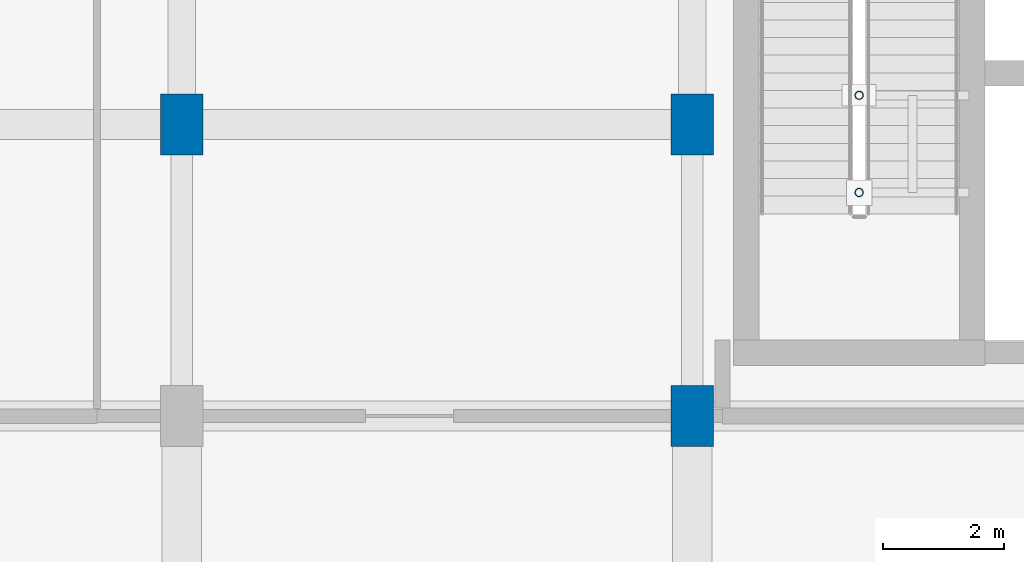
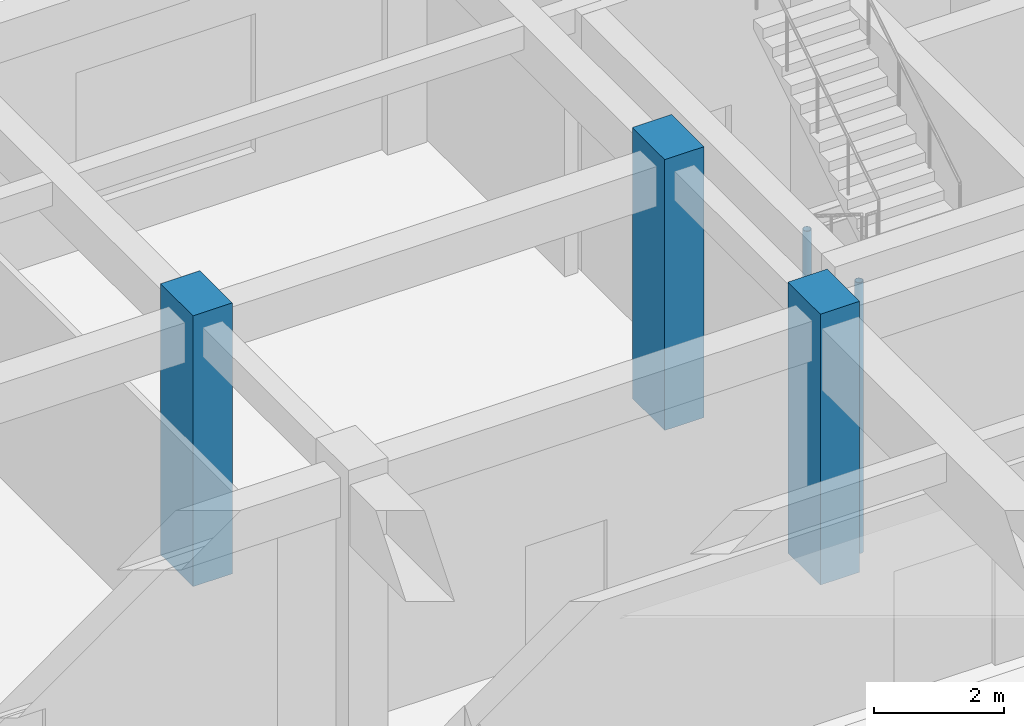
# One storey, part 3 of 106: 5 columns.
"""IFC4 building model written with IfcOpenShell, lengths in metres."""

import ifcopenshell
import ifcopenshell.guid

model = None  # the IFC model being written
_history = None  # IfcOwnerHistory: only IFC2X3 demands one
_inside = {}  # id of a spatial element -> (the spatial element, [elements in it])
_under = {}  # id of a project, library or spatial element -> (it, [spatial elements below it])
_declared = {}  # id of a project -> (the project, [libraries it declares])
_typed = {}  # id of a type object -> (the type object, [elements of that type])
_made_of = {}  # id of a material, layer set ... -> (it, [elements and type objects made of it])


def new_model(schema):
    """Start an empty IFC model of exactly this schema.

    Asked for "IFC4X3", IfcOpenShell would pick the latest addendum, in which some entities
    have other attributes; the version numbers below select the first issue.
    IFC2X3 requires an IfcOwnerHistory on every rooted entity: one is made here for all.
    """
    global model, _history
    if schema == "IFC4X3":
        model = ifcopenshell.file(schema_version=(4, 3, 0, 0))
    else:
        model = ifcopenshell.file(schema=schema)
    _inside.clear()
    _under.clear()
    _declared.clear()
    _typed.clear()
    _made_of.clear()
    _history = None
    if model.schema == "IFC2X3":
        org = make("IfcOrganization", Name="unknown")
        user = make(
            "IfcPersonAndOrganization",
            ThePerson=make("IfcPerson", FamilyName="unknown"),
            TheOrganization=org,
        )
        app = make(
            "IfcApplication",
            ApplicationDeveloper=org,
            Version="unknown",
            ApplicationFullName="unknown",
            ApplicationIdentifier="unknown",
        )
        _history = make(
            "IfcOwnerHistory",
            OwningUser=user,
            OwningApplication=app,
            ChangeAction="ADDED",
            CreationDate=0,
        )
    return model


def make(cls, **values):
    """One entity of the class cls with the attributes given. An attribute that is None is left unset."""
    return model.create_entity(
        cls, **{name: value for name, value in values.items() if value is not None}
    )


def rooted(cls, **values):
    """An entity with a GlobalId (a new one), such as an element, a storey or a relation."""
    return make(cls, GlobalId=ifcopenshell.guid.new(), OwnerHistory=_history, **values)


def si_unit(unit_type, name, prefix=None):
    """IfcSIUnit, for example si_unit("LENGTHUNIT", "METRE", prefix="MILLI")."""
    return make("IfcSIUnit", UnitType=unit_type, Prefix=prefix, Name=name)


def assignment(units):
    """IfcUnitAssignment: the units of a project."""
    return None if units is None else make("IfcUnitAssignment", Units=units)


def point(xyz):
    """IfcCartesianPoint."""
    return None if xyz is None else make("IfcCartesianPoint", Coordinates=xyz)


def direction(xyz):
    """IfcDirection."""
    return None if xyz is None else make("IfcDirection", DirectionRatios=xyz)


def frame(location, z_axis=None, x_axis=None):
    """IfcAxis2Placement3D, a coordinate frame: its origin and axes. An axis left out is left unset."""
    return make(
        "IfcAxis2Placement3D",
        Location=point(location),
        Axis=direction(z_axis),
        RefDirection=direction(x_axis),
    )


def frame_2d(location, x_axis=None):
    """IfcAxis2Placement2D, a coordinate frame in the plane: its origin and x axis."""
    return make(
        "IfcAxis2Placement2D", Location=point(location), RefDirection=direction(x_axis)
    )


def origin():
    """The frame at (0, 0, 0) with its axes left unset."""
    return frame((0.0, 0.0, 0.0))


def origin_2d():
    """The frame at (0, 0) in the plane with its x axis left unset."""
    return frame_2d((0.0, 0.0))


def place(relative_to, where):
    """IfcLocalPlacement: puts the frame where relative to a parent placement (None: the world)."""
    return make(
        "IfcLocalPlacement", PlacementRelTo=relative_to, RelativePlacement=where
    )


def context(
    kind, dimensions, precision=None, world=None, true_north=None, identifier=None
):
    """IfcGeometricRepresentationContext, for example the 3D "Model" context."""
    return make(
        "IfcGeometricRepresentationContext",
        ContextIdentifier=identifier,
        ContextType=kind,
        CoordinateSpaceDimension=dimensions,
        Precision=precision,
        WorldCoordinateSystem=world,
        TrueNorth=true_north,
    )


def subcontext(parent, identifier, kind, view, scale=None):
    """IfcGeometricRepresentationSubContext, for example "Body" below "Model"."""
    return make(
        "IfcGeometricRepresentationSubContext",
        ContextIdentifier=identifier,
        ContextType=kind,
        ParentContext=parent,
        TargetScale=scale,
        TargetView=view,
    )


def project(units=None, contexts=None):
    """IfcProject with its units and contexts."""
    return rooted(
        "IfcProject",
        Name="project",
        RepresentationContexts=contexts,
        UnitsInContext=assignment(units),
    )


def spatial(cls, under=None, at=None, **own):
    """A site, building, storey or space (cls), placed at a placement, below another one or the project."""
    s = rooted(cls, ObjectPlacement=at, **own)
    if under is not None:
        _under.setdefault(under.id(), (under, []))[1].append(s)
    return s


def profile(cls, at=None, kind="AREA", **sizes):
    """A parametric profile (cls). Its sizes go by their IFC names, for example OverallWidth=200.0."""
    return make(cls, ProfileType=kind, Position=at, **sizes)


def rectangle(**sizes):
    """IfcRectangleProfileDef."""
    return profile("IfcRectangleProfileDef", **sizes)


def hollow_circle(**sizes):
    """IfcCircleHollowProfileDef."""
    return profile("IfcCircleHollowProfileDef", **sizes)


def extrude(swept, where, along, depth):
    """IfcExtrudedAreaSolid: the profile swept, set in the frame where, extruded along a direction by depth."""
    return make(
        "IfcExtrudedAreaSolid",
        SweptArea=swept,
        Position=where,
        ExtrudedDirection=direction(along),
        Depth=depth,
    )


def shape(context_of_items, identifier, shape_type, items):
    """IfcShapeRepresentation: the items that make up one representation, for example the "Body"."""
    return make(
        "IfcShapeRepresentation",
        ContextOfItems=context_of_items,
        RepresentationIdentifier=identifier,
        RepresentationType=shape_type,
        Items=items,
    )


def material(Name=None, Category=None):
    """IfcMaterial."""
    return make("IfcMaterial", Name=Name, Category=Category)


def material_profile(
    of_material, cross_section, Name=None, Category=None, Priority=None
):
    """IfcMaterialProfile: a cross section and its material."""
    return make(
        "IfcMaterialProfile",
        Name=Name,
        Material=of_material,
        Profile=cross_section,
        Priority=Priority,
        Category=Category,
    )


def profile_set(profiles, Name=None, composite=None):
    """IfcMaterialProfileSet."""
    return make(
        "IfcMaterialProfileSet",
        Name=Name,
        MaterialProfiles=profiles,
        CompositeProfile=composite,
    )


def made_of(thing, what):
    """Note that an element or type object is made of a material, layer set ...; save() writes the relation."""
    if what is not None:
        _made_of.setdefault(what.id(), (what, []))[1].append(thing)
    return thing


def type_object(cls, material=None, **own):
    """A type object (cls), such as IfcWallType, which elements share."""
    return made_of(rooted(cls, **own), material)


def element(
    cls,
    number,
    at=None,
    inside=None,
    cuts=None,
    type_object=None,
    material=None,
    context=None,
    identifier="Body",
    shape_type=None,
    held_by="IfcProductDefinitionShape",
    body=None,
    shapes=None,
    **own,
):
    """One element of the class cls, such as IfcWall. Its Tag is "e" and its number.

    at: its placement. inside: the storey or other place that contains it. cuts: it is an
    opening in that element (IfcRelVoidsElement). A single representation is given by context,
    identifier, shape_type and body (its items); several are given by shapes. held_by: the class
    of the entity that holds the representations. save() writes the other relations.
    """
    e = rooted(cls, Tag="e%d" % number, ObjectPlacement=at, **own)
    if body is not None:
        shapes = [shape(context, identifier, shape_type, body)]
    if shapes is not None:
        e.Representation = make(held_by, Representations=shapes)
    if inside is not None:
        _inside.setdefault(inside.id(), (inside, []))[1].append(e)
    if cuts is not None:
        rooted(
            "IfcRelVoidsElement", RelatingBuildingElement=cuts, RelatedOpeningElement=e
        )
    if type_object is not None:
        _typed.setdefault(type_object.id(), (type_object, []))[1].append(e)
    return made_of(e, material)


def aggregate(whole, parts):
    """IfcRelAggregates: a whole, such as a stair, and the parts it consists of."""
    return rooted("IfcRelAggregates", RelatingObject=whole, RelatedObjects=parts)


def save(model, path):
    """Write the relations noted so far, then the file.

    IfcRelAggregates (storeys below a building ...), IfcRelContainedInSpatialStructure (elements
    in a storey), IfcRelDefinesByType, IfcRelAssociatesMaterial and IfcRelDeclares: one each for
    every whole, place, type object, material and project.
    """
    for whole, parts in _under.values():
        aggregate(whole, parts)
    for where, things in _inside.values():
        rooted(
            "IfcRelContainedInSpatialStructure",
            RelatedElements=things,
            RelatingStructure=where,
        )
    for kind, things in _typed.values():
        rooted("IfcRelDefinesByType", RelatedObjects=things, RelatingType=kind)
    for what, things in _made_of.values():
        rooted("IfcRelAssociatesMaterial", RelatedObjects=things, RelatingMaterial=what)
    for by, libraries in _declared.values():
        rooted("IfcRelDeclares", RelatingContext=by, RelatedDefinitions=libraries)
    model.write(path)


model = new_model("IFC4")

# Units and contexts
model_context = context("Model", 3, precision=1e-05, world=origin(), true_north=direction((0.0, 1.0)))
body_context = subcontext(model_context, "Body", "Model", "MODEL_VIEW")
ifc_project = project(units=[si_unit("LENGTHUNIT", "METRE"), si_unit("AREAUNIT", "SQUARE_METRE"), si_unit("VOLUMEUNIT", "CUBIC_METRE"), si_unit("PLANEANGLEUNIT", "RADIAN"), si_unit("MASSUNIT", "GRAM", prefix="KILO")], contexts=[model_context])

# Site, building, storey
site_placement = place(None, origin())
site = spatial("IfcSite", under=ifc_project, at=site_placement, CompositionType="ELEMENT")
building_placement = place(site_placement, origin())
building = spatial("IfcBuilding", under=site, at=building_placement, Name="Krzemoval Escarpment Law Courts", CompositionType="ELEMENT")
storey_placement = place(building_placement, frame((0.0, 0.0, 5.10009765625)))
storey = spatial("IfcBuildingStorey", under=building, at=storey_placement, Name="L01", CompositionType="ELEMENT", Elevation=5.10009765625)

# Columns
ifc_material_1 = material(Name="Concrete C50/60", Category="concrete")
ifc_material_profile_1 = material_profile(ifc_material_1, rectangle(XDim=0.699951171875, YDim=1.0, at=origin_2d()), Name="RC 700x1000")
ifc_profile_set_1 = profile_set([ifc_material_profile_1], Name="Concrete C50/60")
column_type_1 = type_object("IfcColumnType", Name="COL-RC-700x1000", PredefinedType="COLUMN", material=ifc_profile_set_1)
for number, where, z_axis, x_axis, name in (
    (1, (50.39990234375, 27.0, 0.0), (0.0, 0.0, 1.0), (1.0, 0.0, 0.0), "Column FC-L01-0635"),
    (2, (58.800048828125, 22.199951171875, 0.0), (0.0, 0.0, 1.0), (1.0, 0.0, 0.0), "Column FC-L01-0642"),
    (3, (58.800048828125, 27.0, 0.0), (0.0, 0.0, 1.0), (1.0, 0.0, 0.0), "Column FC-L01-0643"),
):
    element("IfcColumn", number, at=place(storey_placement, frame(where, z_axis=z_axis, x_axis=x_axis)), inside=storey, type_object=column_type_1, Name=name, PredefinedType="COLUMN", context=body_context, shape_type="SweptSolid", body=[
        extrude(rectangle(XDim=0.699951171875, YDim=1.0, at=origin_2d()), origin(), (0.0, 0.0, 1.0), 5.099853515625),
    ])
ifc_material_2 = material(Name="Steel S355", Category="steel")
ifc_material_profile_2 = material_profile(ifc_material_2, hollow_circle(Radius=0.06982421875, WallThickness=0.008056640625, at=origin_2d()), Name="CHS 139.7x8")
ifc_profile_set_2 = profile_set([ifc_material_profile_2], Name="Steel S355")
column_type_2 = type_object("IfcColumnType", Name="COL-S355-CHS140", PredefinedType="COLUMN", material=ifc_profile_set_2)
for number, where, z_axis, x_axis, name in (
    (4, (61.550048828125, 25.8798828125, -2.97998046875), (0.0, 0.0, 1.0), (1.0, 0.0, 0.0), "Stair Well Post SCP-C4-L01-1"),
    (5, (61.550048828125, 27.47998046875, -2.97998046875), (0.0, 0.0, 1.0), (1.0, 0.0, 0.0), "Stair Well Post SCP-C4-L01-2"),
):
    element("IfcColumn", number, at=place(storey_placement, frame(where, z_axis=z_axis, x_axis=x_axis)), inside=storey, type_object=column_type_2, Name=name, PredefinedType="COLUMN", context=body_context, shape_type="SweptSolid", body=[
        extrude(hollow_circle(Radius=0.06982421875, WallThickness=0.008056640625, at=origin_2d()), origin(), (0.0, 0.0, 1.0), 5.099853515625),
    ])

save(model, "model.ifc")
